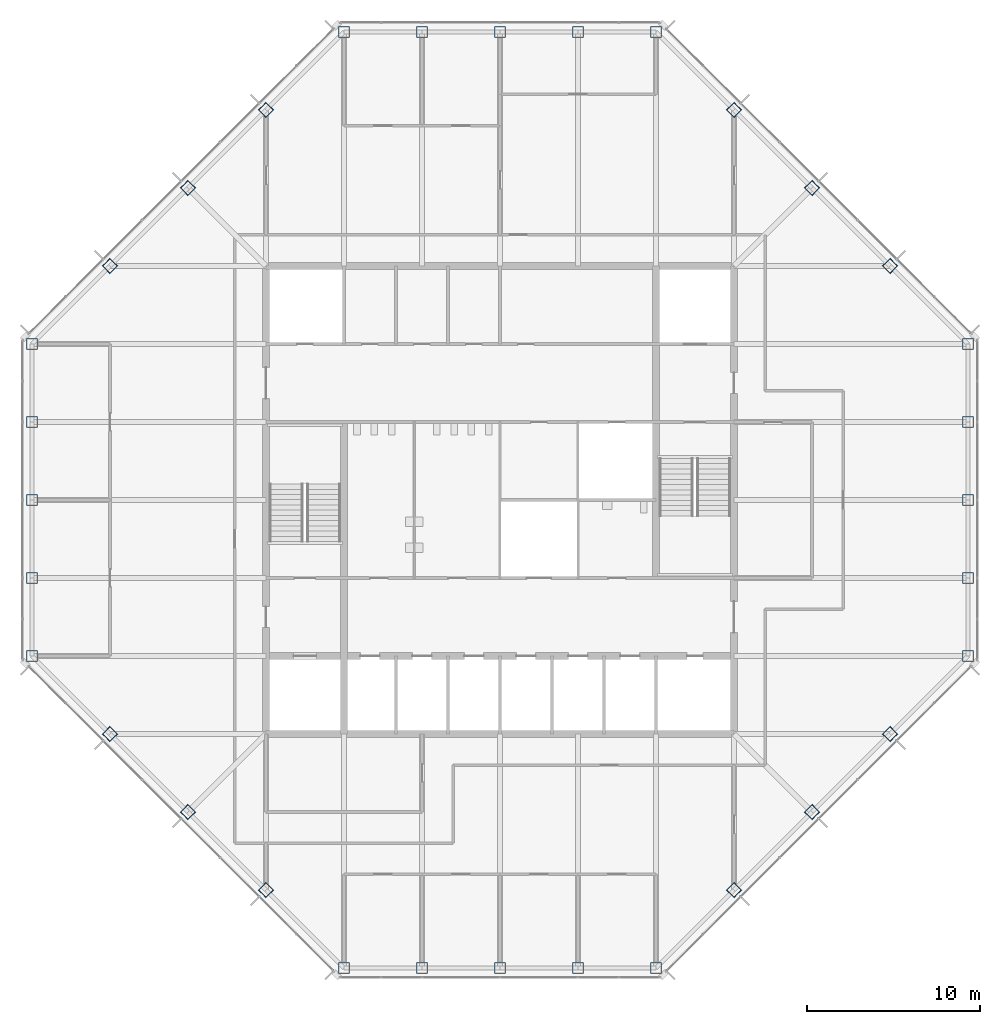
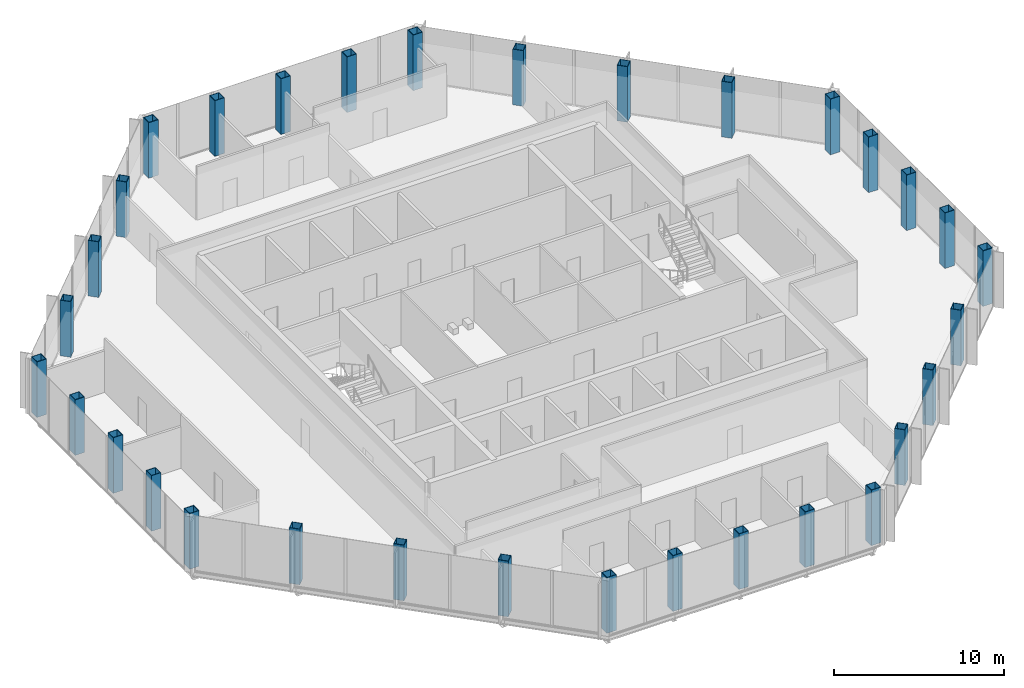
# One storey, part 1 of 13: 32 columns.
"""IFC4 building model written with IfcOpenShell, lengths in metres."""

from ifc_helpers import new_model, si_unit, direction, frame, origin, origin_2d, place, context, subcontext, project, spatial, hollow_rectangle, extrude, material, material_profile, profile_set, type_object, element, save


model = new_model("IFC4")

# Units and contexts
model_context = context("Model", 3, precision=1e-05, world=origin(), true_north=direction((0.0, 1.0)))
body_context = subcontext(model_context, "Body", "Model", "MODEL_VIEW")
ifc_project = project(units=[si_unit("LENGTHUNIT", "METRE"), si_unit("AREAUNIT", "SQUARE_METRE"), si_unit("VOLUMEUNIT", "CUBIC_METRE"), si_unit("PLANEANGLEUNIT", "RADIAN"), si_unit("MASSUNIT", "GRAM", prefix="KILO")], contexts=[model_context])

# Site, building, storey
site_placement = place(None, origin())
site = spatial("IfcSite", under=ifc_project, at=site_placement, CompositionType="ELEMENT")
building_placement = place(site_placement, origin())
building = spatial("IfcBuilding", under=site, at=building_placement, Name="Corais Broadcast Tower", CompositionType="ELEMENT")
storey_placement = place(building_placement, frame((0.0, 0.0, 226.60009765625)))
storey = spatial("IfcBuildingStorey", under=building, at=storey_placement, Name="L52", CompositionType="ELEMENT", Elevation=226.60009765625)

# Columns
ifc_material = material(Name="Steel ASTM A572 Grade 50", Category="steel")
ifc_material_profile = material_profile(ifc_material, hollow_rectangle(XDim=0.64990234375, YDim=0.64990234375, WallThickness=0.031982421875, at=origin_2d()), Name="BOX 650x650x32")
ifc_profile_set = profile_set([ifc_material_profile], Name="Steel ASTM A572 Grade 50")
column_type = type_object("IfcColumnType", Name="Column BOX 650x650x32", PredefinedType="COLUMN", material=ifc_profile_set)
for number, where, z_axis, x_axis, name in (
    (1, (18.0, 0.0, 0.0), (0.0, 0.0, 1.0), (1.0, 0.0, 0.0), "C6 A/7"),
    (2, (22.5, 0.0, 0.0), (0.0, 0.0, 1.0), (1.0, 0.0, 0.0), "C6 A/8"),
    (3, (27.0, 0.0, 0.0), (0.0, 0.0, 1.0), (1.0, 0.0, 0.0), "C6 A/9"),
    (4, (31.5, 0.0, 0.0), (0.0, 0.0, 1.0), (1.0, 0.0, 0.0), "C6 A/10"),
    (5, (36.0, 0.0, 0.0), (0.0, 0.0, 1.0), (1.0, 0.0, 0.0), "C6 A/11"),
    (6, (54.0, 18.0, 0.0), (0.0, 0.0, 1.0), (1.0, 0.0, 0.0), "C6 E/15"),
    (7, (54.0, 22.5, 0.0), (0.0, 0.0, 1.0), (1.0, 0.0, 0.0), "C6 F/15"),
    (8, (54.0, 27.0, 0.0), (0.0, 0.0, 1.0), (1.0, 0.0, 0.0), "C6 G/15"),
    (9, (54.0, 31.5, 0.0), (0.0, 0.0, 1.0), (1.0, 0.0, 0.0), "C6 H/15"),
    (10, (54.0, 36.0, 0.0), (0.0, 0.0, 1.0), (1.0, 0.0, 0.0), "C6 J/15"),
    (11, (36.0, 54.0, 0.0), (0.0, 0.0, 1.0), (1.0, 0.0, 0.0), "C6 N/11"),
    (12, (31.5, 54.0, 0.0), (0.0, 0.0, 1.0), (1.0, 0.0, 0.0), "C6 N/10"),
    (13, (27.0, 54.0, 0.0), (0.0, 0.0, 1.0), (1.0, 0.0, 0.0), "C6 N/9"),
    (14, (22.5, 54.0, 0.0), (0.0, 0.0, 1.0), (1.0, 0.0, 0.0), "C6 N/8"),
    (15, (18.0, 54.0, 0.0), (0.0, 0.0, 1.0), (1.0, 0.0, 0.0), "C6 N/7"),
    (16, (0.0, 36.0, 0.0), (0.0, 0.0, 1.0), (1.0, 0.0, 0.0), "C6 J/3"),
    (17, (0.0, 31.5, 0.0), (0.0, 0.0, 1.0), (1.0, 0.0, 0.0), "C6 H/3"),
    (18, (0.0, 27.0, 0.0), (0.0, 0.0, 1.0), (1.0, 0.0, 0.0), "C6 G/3"),
    (19, (0.0, 22.5, 0.0), (0.0, 0.0, 1.0), (1.0, 0.0, 0.0), "C6 F/3"),
    (20, (0.0, 18.0, 0.0), (0.0, 0.0, 1.0), (1.0, 0.0, 0.0), "C6 E/3"),
    (21, (13.5, 4.5, 0.0), (0.0, 0.0, 1.0), (0.707106781187, 0.707106781187, 0.0), "C6 B/6"),
    (22, (9.0, 9.0, 0.0), (0.0, 0.0, 1.0), (0.707106781187, 0.707106781187, 0.0), "C6 C/5"),
    (23, (4.5, 13.5, 0.0), (0.0, 0.0, 1.0), (0.707106781187, 0.707106781187, 0.0), "C6 D/4"),
    (24, (40.5, 4.5, 0.0), (0.0, 0.0, 1.0), (0.707106781187, 0.707106781187, 0.0), "C6 B/12"),
    (25, (45.0, 9.0, 0.0), (0.0, 0.0, 1.0), (0.707106781187, 0.707106781187, 0.0), "C6 C/13"),
    (26, (49.5, 13.5, 0.0), (0.0, 0.0, 1.0), (0.707106781187, 0.707106781187, 0.0), "C6 D/14"),
    (27, (49.5, 40.5, 0.0), (0.0, 0.0, 1.0), (0.707106781187, 0.707106781187, 0.0), "C6 K/14"),
    (28, (45.0, 45.0, 0.0), (0.0, 0.0, 1.0), (0.707106781187, 0.707106781187, 0.0), "C6 L/13"),
    (29, (40.5, 49.5, 0.0), (0.0, 0.0, 1.0), (0.707106781187, 0.707106781187, 0.0), "C6 M/12"),
    (30, (4.5, 40.5, 0.0), (0.0, 0.0, 1.0), (0.707106781187, 0.707106781187, 0.0), "C6 K/4"),
    (31, (9.0, 45.0, 0.0), (0.0, 0.0, 1.0), (0.707106781187, 0.707106781187, 0.0), "C6 L/5"),
    (32, (13.5, 49.5, 0.0), (0.0, 0.0, 1.0), (0.707106781187, 0.707106781187, 0.0), "C6 M/6"),
):
    element("IfcColumn", number, at=place(storey_placement, frame(where, z_axis=z_axis, x_axis=x_axis)), inside=storey, type_object=column_type, Name=name, PredefinedType="COLUMN", context=body_context, shape_type="SweptSolid", body=[
        extrude(hollow_rectangle(XDim=0.64990234375, YDim=0.64990234375, WallThickness=0.031982421875, at=origin_2d()), origin(), (0.0, 0.0, 1.0), 4.0),
    ])

save(model, "model.ifc")
